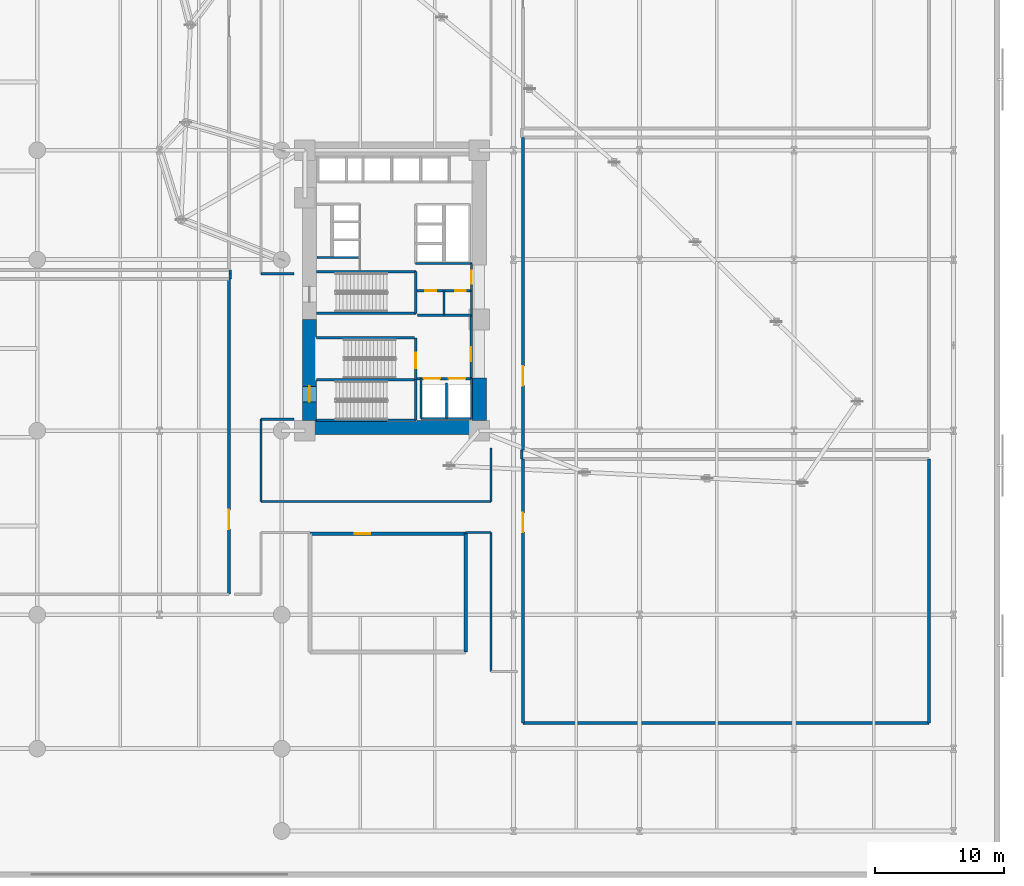
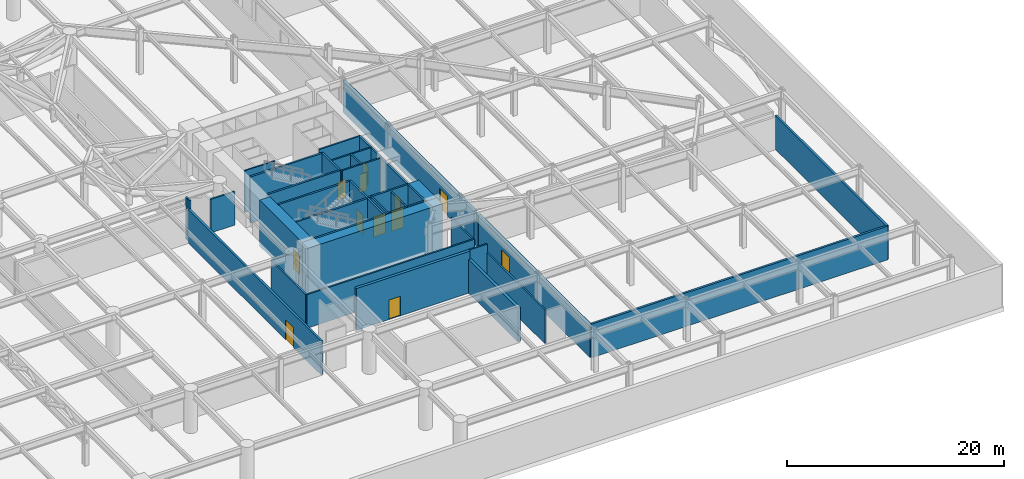
# One storey, part 25 of 40: 41 walls, 12 doors, 12 openings.
"""IFC4 building model written with IfcOpenShell, lengths in metres."""

from ifc_helpers import new_model, si_unit, direction, frame, frame_2d, origin, place, context, subcontext, project, spatial, rectangle, extrude, material, layer, layer_set, type_object, element, fill, save


model = new_model("IFC4")

# Units and contexts
model_context = context("Model", 3, precision=1e-05, world=origin(), true_north=direction((0.0, 1.0)))
body_context = subcontext(model_context, "Body", "Model", "MODEL_VIEW")
ifc_project = project(units=[si_unit("LENGTHUNIT", "METRE"), si_unit("AREAUNIT", "SQUARE_METRE"), si_unit("VOLUMEUNIT", "CUBIC_METRE"), si_unit("PLANEANGLEUNIT", "RADIAN"), si_unit("MASSUNIT", "GRAM", prefix="KILO")], contexts=[model_context])

# Site, building, storey
site_placement = place(None, origin())
site = spatial("IfcSite", under=ifc_project, at=site_placement, CompositionType="ELEMENT")
building_placement = place(site_placement, origin())
building = spatial("IfcBuilding", under=site, at=building_placement, Name="Narakoshi Arena Tower", CompositionType="ELEMENT")
storey_placement = place(building_placement, frame((0.0, 0.0, 21.60009765625)))
storey = spatial("IfcBuildingStorey", under=building, at=storey_placement, Name="L05", CompositionType="ELEMENT", Elevation=21.60009765625)

# Walls
ifc_material_1 = material(Name="Concrete C40/50", Category="concrete")
ifc_layer_1 = layer(ifc_material_1, 0.219970703125)
ifc_layer_set_1 = layer_set([ifc_layer_1], Name="Concrete C40/50")
wall_type_1 = type_object("IfcWallType", Name="WL-COMP-220", PredefinedType="SOLIDWALL", material=ifc_layer_set_1)
wall_1_placement = place(storey_placement, frame((88.949951171875, 12.0, 0.0), z_axis=(0.0, 0.0, 1.0), x_axis=(1.0, 0.0, 0.0)))
element("IfcWall", 1, at=wall_1_placement, inside=storey, type_object=wall_type_1, Name="L05 Arena Roof MEP AHU Plant Room Wall S", PredefinedType="SOLIDWALL", context=body_context, shape_type="SweptSolid", body=[
    extrude(rectangle(XDim=31.550048828125, YDim=0.219970703125, at=frame_2d((15.77490234375, 0.0))), origin(), (0.0, 0.0, 1.0), 3.784912109375),
])
wall_2_placement = place(storey_placement, frame((120.5, 12.0, 0.0), z_axis=(0.0, 0.0, 1.0), x_axis=(0.0, 1.0, 0.0)))
element("IfcWall", 2, at=wall_2_placement, inside=storey, type_object=wall_type_1, Name="L05 Arena Roof MEP AHU Plant Room Wall E", PredefinedType="SOLIDWALL", context=body_context, shape_type="SweptSolid", body=[
    extrude(rectangle(XDim=20.5, YDim=0.219970703125, at=frame_2d((10.25, 0.0))), origin(), (0.0, 0.0, 1.0), 3.784912109375),
])

# Wall, opening, door
wall_3_placement = place(storey_placement, frame((88.949951171875, 32.5, 0.0), z_axis=(0.0, 0.0, 1.0), x_axis=(0.0, -1.0, 0.0)))
wall_3 = element("IfcWall", 3, at=wall_3_placement, inside=storey, type_object=wall_type_1, Name="L05 Arena Roof MEP AHU Plant Room Wall W", PredefinedType="SOLIDWALL", context=body_context, shape_type="SweptSolid", body=[
    extrude(rectangle(XDim=20.5, YDim=0.219970703125, at=frame_2d((10.25, 0.0))), origin(), (0.0, 0.0, 1.0), 3.677001953125),
])
opening_1_placement = place(wall_3_placement, frame((4.179931640625, 0.0, 0.0)))
opening_1 = element("IfcOpeningElement", 4, at=opening_1_placement, cuts=wall_3, Name="Opening D-09", PredefinedType="OPENING", context=body_context, shape_type="SweptSolid", body=[
    extrude(rectangle(XDim=1.5, YDim=2.25, at=frame_2d((0.75, 1.125))), frame((0.0, 0.119873046875, 0.0), z_axis=(0.0, -1.0, 0.0), x_axis=(1.0, 0.0, 0.0)), (0.0, 0.0, 1.0), 0.239990234375),
])
ifc_material_2 = material(Name="Painted galvanized steel", Category="steel")
door_type_1 = type_object("IfcDoorType", Name="DR-PLT-1500", OperationType="DOUBLE_DOOR_SINGLE_SWING", PredefinedType="DOOR", material=ifc_material_2)
door_1_placement = place(opening_1_placement, frame((1.5, 0.0, 0.0), z_axis=(0.0, 0.0, 1.0), x_axis=(-1.0, 0.0, 0.0)))
door_1 = element("IfcDoor", 5, at=door_1_placement, inside=storey, type_object=door_type_1, Name="DR-L05-014", OperationType="DOUBLE_DOOR_SINGLE_SWING", OverallHeight=2.25, OverallWidth=1.5, PredefinedType="DOOR", context=body_context, shape_type="SweptSolid", body=[
    extrude(rectangle(XDim=1.5, YDim=2.25, at=frame_2d((0.75, 1.125))), frame((0.0, 0.02490234375, 0.0), z_axis=(0.0, -1.0, 0.0), x_axis=(1.0, 0.0, 0.0)), (0.0, 0.0, 1.0), 0.050048828125),
])
fill(opening_1, door_1)

wall_4_placement = place(storey_placement, frame((88.949951171875, 57.5, 0.0), z_axis=(0.0, 0.0, 1.0), x_axis=(0.0, -1.0, 0.0)))
wall_4 = element("IfcWall", 6, at=wall_4_placement, inside=storey, type_object=wall_type_1, Name="L05 Mechanical AHU Ventilation Plant Room 2 Wall W", PredefinedType="SOLIDWALL", context=body_context, shape_type="SweptSolid", body=[
    extrude(rectangle(XDim=24.300048828125, YDim=0.219970703125, at=frame_2d((12.14990234375, 0.0))), origin(), (0.0, 0.0, 1.0), 3.677001953125),
])
opening_2_placement = place(wall_4_placement, frame((17.783935546875, 0.0, 0.0)))
opening_2 = element("IfcOpeningElement", 7, at=opening_2_placement, cuts=wall_4, Name="Opening D-09", PredefinedType="OPENING", context=body_context, shape_type="SweptSolid", body=[
    extrude(rectangle(XDim=1.5, YDim=2.25, at=frame_2d((0.75, 1.125))), frame((0.0, 0.119873046875, 0.0), z_axis=(0.0, -1.0, 0.0), x_axis=(1.0, 0.0, 0.0)), (0.0, 0.0, 1.0), 0.239990234375),
])
door_2_placement = place(opening_2_placement, frame((1.5, 0.0, 0.0), z_axis=(0.0, 0.0, 1.0), x_axis=(-1.0, 0.0, 0.0)))
door_2 = element("IfcDoor", 8, at=door_2_placement, inside=storey, type_object=door_type_1, Name="DR-L05-015", OperationType="DOUBLE_DOOR_SINGLE_SWING", OverallHeight=2.25, OverallWidth=1.5, PredefinedType="DOOR", context=body_context, shape_type="SweptSolid", body=[
    extrude(rectangle(XDim=1.5, YDim=2.25, at=frame_2d((0.75, 1.125))), frame((0.0, 0.02490234375, 0.0), z_axis=(0.0, -1.0, 0.0), x_axis=(1.0, 0.0, 0.0)), (0.0, 0.0, 1.0), 0.050048828125),
])
fill(opening_2, door_2)

wall_5_placement = place(storey_placement, frame((66.10009765625, 22.0, 0.0), z_axis=(0.0, 0.0, 1.0), x_axis=(0.0, 1.0, 0.0)))
wall_5 = element("IfcWall", 9, at=wall_5_placement, inside=storey, type_object=wall_type_1, Name="L05 Podium Roof Substation and Switchgear Room Wall E", PredefinedType="SOLIDWALL", context=body_context, shape_type="SweptSolid", body=[
    extrude(rectangle(XDim=24.5, YDim=0.219970703125, at=frame_2d((12.25, 0.0))), origin(), (0.0, 0.0, 1.0), 3.784912109375),
])
opening_3_placement = place(wall_5_placement, frame((5.06005859375, 0.0, 0.0)))
opening_3 = element("IfcOpeningElement", 10, at=opening_3_placement, cuts=wall_5, Name="Opening D-09", PredefinedType="OPENING", context=body_context, shape_type="SweptSolid", body=[
    extrude(rectangle(XDim=1.5, YDim=2.25, at=frame_2d((0.75, 1.125))), frame((0.0, 0.119873046875, 0.0), z_axis=(0.0, -1.0, 0.0), x_axis=(1.0, 0.0, 0.0)), (0.0, 0.0, 1.0), 0.239990234375),
])
door_3_placement = place(opening_3_placement, frame((1.5, 0.0, 0.0), z_axis=(0.0, 0.0, 1.0), x_axis=(-1.0, 0.0, 0.0)))
door_3 = element("IfcDoor", 11, at=door_3_placement, inside=storey, type_object=door_type_1, Name="DR-L05-018", OperationType="DOUBLE_DOOR_SINGLE_SWING", OverallHeight=2.25, OverallWidth=1.5, PredefinedType="DOOR", context=body_context, shape_type="SweptSolid", body=[
    extrude(rectangle(XDim=1.5, YDim=2.25, at=frame_2d((0.75, 1.125))), frame((0.0, 0.02490234375, 0.0), z_axis=(0.0, -1.0, 0.0), x_axis=(1.0, 0.0, 0.0)), (0.0, 0.0, 1.0), 0.050048828125),
])
fill(opening_3, door_3)

ifc_material_3 = material(Name="Concrete C60/75", Category="concrete")
ifc_layer_2 = layer(ifc_material_3, 1.10009765625)
ifc_layer_set_2 = layer_set([ifc_layer_2], Name="Concrete C60/75")
wall_type_2 = type_object("IfcWallType", Name="WL-CORE-1100", PredefinedType="SHEAR", material=ifc_layer_set_2)
wall_6_placement = place(storey_placement, frame((72.35009765625, 35.5, -0.5), z_axis=(0.0, 0.0, 1.0), x_axis=(0.0, 1.0, 0.0)))
wall_6 = element("IfcWall", 12, at=wall_6_placement, inside=storey, type_object=wall_type_2, Name="L05 Central Core Shear Wall CW-APX-W", PredefinedType="SHEAR", context=body_context, shape_type="SweptSolid", body=[
    extrude(rectangle(XDim=7.85009765625, YDim=1.10009765625, at=frame_2d((3.925048828125, 0.0))), origin(), (0.0, 0.0, 1.0), 5.199951171875),
])
opening_4_placement = place(wall_6_placement, frame((1.449951171875, 0.0, 0.5)))
opening_4 = element("IfcOpeningElement", 13, at=opening_4_placement, cuts=wall_6, Name="Opening D-03", PredefinedType="OPENING", context=body_context, shape_type="SweptSolid", body=[
    extrude(rectangle(XDim=1.199951171875, YDim=2.199951171875, at=frame_2d((0.60009765625, 1.10009765625))), frame((0.0, 0.56005859375, 0.0), z_axis=(0.0, -1.0, 0.0), x_axis=(1.0, 0.0, 0.0)), (0.0, 0.0, 1.0), 1.1201171875),
])
door_type_2 = type_object("IfcDoorType", Name="DR-STR-1200", OperationType="NOTDEFINED", PredefinedType="USERDEFINED", material=ifc_material_2)
door_4_placement = place(opening_4_placement, frame((1.199951171875, 0.0, 0.0), z_axis=(0.0, 0.0, 1.0), x_axis=(-1.0, 0.0, 0.0)))
door_4 = element("IfcDoor", 14, at=door_4_placement, inside=storey, type_object=door_type_2, Name="DR-L05-001", ObjectType="EXITDOOR", OperationType="SINGLE_SWING_LEFT", OverallHeight=2.199951171875, OverallWidth=1.199951171875, PredefinedType="USERDEFINED", context=body_context, shape_type="SweptSolid", body=[
    extrude(rectangle(XDim=1.199951171875, YDim=2.199951171875, at=frame_2d((0.60009765625, 1.10009765625))), frame((0.0, 0.02490234375, 0.0), z_axis=(0.0, -1.0, 0.0), x_axis=(1.0, 0.0, 0.0)), (0.0, 0.0, 1.0), 0.050048828125),
])
fill(opening_4, door_4)

# Walls
wall_7_placement = place(storey_placement, frame((71.800048828125, 34.949951171875, -0.5), z_axis=(0.0, 0.0, 1.0), x_axis=(1.0, 0.0, 0.0)))
element("IfcWall", 15, at=wall_7_placement, inside=storey, type_object=wall_type_2, Name="L05 Central Core Shear Wall CW-APX-S", PredefinedType="SHEAR", context=body_context, shape_type="SweptSolid", body=[
    extrude(rectangle(XDim=14.300048828125, YDim=1.10009765625, at=frame_2d((7.14990234375, 0.0))), origin(), (0.0, 0.0, 1.0), 5.199951171875),
])
wall_8_placement = place(storey_placement, frame((85.550048828125, 35.5, -0.5), z_axis=(0.0, 0.0, 1.0), x_axis=(0.0, 1.0, 0.0)))
element("IfcWall", 16, at=wall_8_placement, inside=storey, type_object=wall_type_2, Name="L05 Central Core Shear Wall CW-APX-E", PredefinedType="SHEAR", context=body_context, shape_type="SweptSolid", body=[
    extrude(rectangle(XDim=3.300048828125, YDim=1.10009765625, at=frame_2d((1.64990234375, 0.0))), origin(), (0.0, 0.0, 1.0), 5.199951171875),
])

# Wall, opening, door
ifc_material_4 = material(Name="Gypsum plasterboard fire-rated partition")
ifc_layer_3 = layer(ifc_material_4, 0.1650390625)
ifc_layer_set_3 = layer_set([ifc_layer_3], Name="Gypsum plasterboard fire-rated partition")
wall_type_3 = type_object("IfcWallType", Name="WL-CORR-165", PredefinedType="PARTITIONING", material=ifc_layer_set_3)
wall_9_placement = place(storey_placement, frame((84.949951171875, 45.580078125, 0.0), z_axis=(0.0, 0.0, 1.0), x_axis=(0.0, 1.0, 0.0)))
wall_9 = element("IfcWall", 17, at=wall_9_placement, inside=storey, type_object=wall_type_3, Name="L05 Core Wall CPAS-E", PredefinedType="PARTITIONING", context=body_context, shape_type="SweptSolid", body=[
    extrude(rectangle(XDim=2.119873046875, YDim=0.1650390625, at=frame_2d((1.06005859375, 0.0))), origin(), (0.0, 0.0, 1.0), 4.699951171875),
])
opening_5_placement = place(wall_9_placement, frame((0.56005859375, 0.0, 0.0)))
opening_5 = element("IfcOpeningElement", 18, at=opening_5_placement, cuts=wall_9, Name="Opening D-06", PredefinedType="OPENING", context=body_context, shape_type="SweptSolid", body=[
    extrude(rectangle(XDim=1.0, YDim=2.199951171875, at=frame_2d((0.5, 1.10009765625))), frame((0.0, 0.092529296875, 0.0), z_axis=(0.0, -1.0, 0.0), x_axis=(1.0, 0.0, 0.0)), (0.0, 0.0, 1.0), 0.18505859375),
])
ifc_material_5 = material(Name="Stained oak solid-core timber", Category="wood")
door_type_3 = type_object("IfcDoorType", Name="DR-OFF-1000", OperationType="NOTDEFINED", PredefinedType="DOOR", material=ifc_material_5)
door_5_placement = place(opening_5_placement, frame((1.0, 0.0, 0.0), z_axis=(0.0, 0.0, 1.0), x_axis=(-1.0, 0.0, 0.0)))
door_5 = element("IfcDoor", 19, at=door_5_placement, inside=storey, type_object=door_type_3, Name="DR-L05-007", OperationType="SINGLE_SWING_LEFT", OverallHeight=2.199951171875, OverallWidth=1.0, PredefinedType="DOOR", context=body_context, shape_type="SweptSolid", body=[
    extrude(rectangle(XDim=1.0, YDim=2.199951171875, at=frame_2d((0.5, 1.10009765625))), frame((0.0, 0.02490234375, 0.0), z_axis=(0.0, -1.0, 0.0), x_axis=(1.0, 0.0, 0.0)), (0.0, 0.0, 1.0), 0.050048828125),
])
fill(opening_5, door_5)

# Walls
wall_10_placement = place(storey_placement, frame((66.199951171875, 46.89990234375, 0.0), z_axis=(0.0, 0.0, 1.0), x_axis=(0.0, 1.0, 0.0)))
element("IfcWall", 20, at=wall_10_placement, inside=storey, type_object=wall_type_3, Name="L05 Plant Corridor Enclosure 01-1", PredefinedType="PARTITIONING", context=body_context, shape_type="SweptSolid", body=[
    extrude(rectangle(XDim=0.300048828125, YDim=0.1650390625, at=frame_2d((0.14990234375, 0.0))), origin(), (0.0, 0.0, 1.0), 4.699951171875),
])
for number, where, z_axis, x_axis, name in (
    (21, (68.60009765625, 46.89990234375, 0.0), (0.0, 0.0, 1.0), (1.0, 0.0, 0.0), "L05 Plant Corridor Enclosure 02-3"),
    (22, (71.14990234375, 35.60009765625, 0.0), (0.0, 0.0, 1.0), (-1.0, 0.0, 0.0), "L05 Plant Corridor Enclosure 03-1"),
):
    element("IfcWall", number, at=place(storey_placement, frame(where, z_axis=z_axis, x_axis=x_axis)), inside=storey, type_object=wall_type_3, Name=name, PredefinedType="PARTITIONING", context=body_context, shape_type="SweptSolid", body=[
        extrude(rectangle(XDim=2.5498046875, YDim=0.1650390625, at=frame_2d((1.27490234375, 0.0))), origin(), (0.0, 0.0, 1.0), 3.784912109375),
    ])
wall_11_placement = place(storey_placement, frame((68.60009765625, 35.60009765625, 0.0), z_axis=(0.0, 0.0, 1.0), x_axis=(0.0, -1.0, 0.0)))
element("IfcWall", 23, at=wall_11_placement, inside=storey, type_object=wall_type_3, Name="L05 Plant Corridor Enclosure 03-2", PredefinedType="PARTITIONING", context=body_context, shape_type="SweptSolid", body=[
    extrude(rectangle(XDim=6.400146484375, YDim=0.1650390625, at=frame_2d((3.2001953125, 0.0))), origin(), (0.0, 0.0, 1.0), 3.784912109375),
])
wall_12_placement = place(storey_placement, frame((68.60009765625, 29.199951171875, 0.0), z_axis=(0.0, 0.0, 1.0), x_axis=(1.0, 0.0, 0.0)))
element("IfcWall", 24, at=wall_12_placement, inside=storey, type_object=wall_type_3, Name="L05 Plant Corridor Enclosure 03-3", PredefinedType="PARTITIONING", context=body_context, shape_type="SweptSolid", body=[
    extrude(rectangle(XDim=17.849853515625, YDim=0.1650390625, at=frame_2d((8.9248046875, 0.0))), origin(), (0.0, 0.0, 1.0), 3.784912109375),
])
wall_13_placement = place(storey_placement, frame((86.449951171875, 29.199951171875, 0.0), z_axis=(0.0, 0.0, 1.0), x_axis=(0.0, 1.0, 0.0)))
element("IfcWall", 25, at=wall_13_placement, inside=storey, type_object=wall_type_3, Name="L05 Plant Corridor Enclosure 03-4", PredefinedType="PARTITIONING", context=body_context, shape_type="SweptSolid", body=[
    extrude(rectangle(XDim=4.150146484375, YDim=0.1650390625, at=frame_2d((2.0751953125, 0.0))), origin(), (0.0, 0.0, 1.0), 3.677001953125),
])
wall_14_placement = place(storey_placement, frame((88.85009765625, 33.199951171875, 0.0), z_axis=(0.0, 0.0, 1.0), x_axis=(0.0, -1.0, 0.0)))
element("IfcWall", 26, at=wall_14_placement, inside=storey, type_object=wall_type_3, Name="L05 Plant Corridor Enclosure 07-1", PredefinedType="PARTITIONING", context=body_context, shape_type="SweptSolid", body=[
    extrude(rectangle(XDim=0.699951171875, YDim=0.1650390625, at=frame_2d((0.35009765625, 0.0))), origin(), (0.0, 0.0, 1.0), 3.677001953125),
])
wall_15_placement = place(storey_placement, frame((86.449951171875, 16.0, 0.0), z_axis=(0.0, 0.0, 1.0), x_axis=(0.0, 1.0, 0.0)))
element("IfcWall", 27, at=wall_15_placement, inside=storey, type_object=wall_type_3, Name="L05 Plant Corridor Enclosure 08-2", PredefinedType="PARTITIONING", context=body_context, shape_type="SweptSolid", body=[
    extrude(rectangle(XDim=10.800048828125, YDim=0.1650390625, at=frame_2d((5.39990234375, 0.0))), origin(), (0.0, 0.0, 1.0), 3.784912109375),
])
wall_16_placement = place(storey_placement, frame((86.449951171875, 26.800048828125, 0.0), z_axis=(0.0, 0.0, 1.0), x_axis=(-1.0, 0.0, 0.0)))
element("IfcWall", 28, at=wall_16_placement, inside=storey, type_object=wall_type_3, Name="L05 Plant Corridor Enclosure 08-3", PredefinedType="PARTITIONING", context=body_context, shape_type="SweptSolid", body=[
    extrude(rectangle(XDim=1.949951171875, YDim=0.1650390625, at=frame_2d((0.97509765625, 0.0))), origin(), (0.0, 0.0, 1.0), 4.699951171875),
])
wall_17_placement = place(storey_placement, frame((66.199951171875, 46.5, 0.0), z_axis=(0.0, 0.0, 1.0), x_axis=(0.0, 1.0, 0.0)))
element("IfcWall", 29, at=wall_17_placement, inside=storey, type_object=wall_type_3, Name="L05 Plant Corridor Enclosure 10-1", PredefinedType="PARTITIONING", context=body_context, shape_type="SweptSolid", body=[
    extrude(rectangle(XDim=0.39990234375, YDim=0.1650390625, at=frame_2d((0.199951171875, 0.0))), origin(), (0.0, 0.0, 1.0), 4.699951171875),
])
ifc_layer_4 = layer(ifc_material_1, 0.280029296875)
ifc_layer_set_4 = layer_set([ifc_layer_4], Name="Concrete C40/50")
wall_type_4 = type_object("IfcWallType", Name="WL-RISER-280", PredefinedType="PLUMBINGWALL", material=ifc_layer_set_4)
wall_18_placement = place(storey_placement, frame((83.0, 35.64990234375, 0.0), z_axis=(0.0, 0.0, 1.0), x_axis=(0.0, 1.0, 0.0)))
element("IfcWall", 30, at=wall_18_placement, inside=storey, type_object=wall_type_4, Name="L05 Core Wall FF-DIV", PredefinedType="PLUMBINGWALL", context=body_context, shape_type="SweptSolid", body=[
    extrude(rectangle(XDim=2.75, YDim=0.159912109375, at=frame_2d((1.375, 0.0))), origin(), (0.0, 0.0, 1.0), 4.699951171875),
])
wall_19_placement = place(storey_placement, frame((84.949951171875, 43.679931640625, 0.0), z_axis=(0.0, 0.0, 1.0), x_axis=(0.0, 1.0, 0.0)))
element("IfcWall", 31, at=wall_19_placement, inside=storey, type_object=wall_type_4, Name="L05 Core Wall RSR-E", PredefinedType="PLUMBINGWALL", context=body_context, shape_type="SweptSolid", body=[
    extrude(rectangle(XDim=1.900146484375, YDim=0.1650390625, at=frame_2d((0.9501953125, 0.0))), origin(), (0.0, 0.0, 1.0), 4.699951171875),
])

# Wall, openings, doors
wall_20_placement = place(storey_placement, frame((80.719970703125, 45.580078125, 0.0), z_axis=(0.0, 0.0, 1.0), x_axis=(1.0, 0.0, 0.0)))
wall_20 = element("IfcWall", 32, at=wall_20_placement, inside=storey, type_object=wall_type_4, Name="L05 Core Wall RSR-N", PredefinedType="PLUMBINGWALL", context=body_context, shape_type="SweptSolid", body=[
    extrude(rectangle(XDim=4.22998046875, YDim=0.159912109375, at=frame_2d((2.114990234375, 0.0))), origin(), (0.0, 0.0, 1.0), 4.699951171875),
])
opening_6_placement = place(wall_20_placement, frame((0.64990234375, 0.0, 0.0)))
opening_6 = element("IfcOpeningElement", 33, at=opening_6_placement, cuts=wall_20, Name="Opening D-10", PredefinedType="OPENING", context=body_context, shape_type="SweptSolid", body=[
    extrude(rectangle(XDim=0.85009765625, YDim=2.050048828125, at=frame_2d((0.425048828125, 1.02490234375))), frame((0.0, 0.08984375, 0.0), z_axis=(0.0, -1.0, 0.0), x_axis=(1.0, 0.0, 0.0)), (0.0, 0.0, 1.0), 0.179931640625),
])
opening_7_placement = place(wall_20_placement, frame((2.949951171875, 0.0, 0.0)))
opening_7 = element("IfcOpeningElement", 34, at=opening_7_placement, cuts=wall_20, Name="Opening D-10", PredefinedType="OPENING", context=body_context, shape_type="SweptSolid", body=[
    extrude(rectangle(XDim=0.85009765625, YDim=2.050048828125, at=frame_2d((0.425048828125, 1.02490234375))), frame((0.0, 0.08984375, 0.0), z_axis=(0.0, -1.0, 0.0), x_axis=(1.0, 0.0, 0.0)), (0.0, 0.0, 1.0), 0.179931640625),
])
door_type_4 = type_object("IfcDoorType", Name="DR-RSR-850", OperationType="NOTDEFINED", PredefinedType="DOOR", material=ifc_material_2)
door_6_placement = place(opening_6_placement, frame((0.85009765625, 0.0, 0.0), z_axis=(0.0, 0.0, 1.0), x_axis=(-1.0, 0.0, 0.0)))
door_6 = element("IfcDoor", 35, at=door_6_placement, inside=storey, type_object=door_type_4, Name="DR-L05-008", OperationType="SINGLE_SWING_LEFT", OverallHeight=2.050048828125, OverallWidth=0.85009765625, PredefinedType="DOOR", context=body_context, shape_type="SweptSolid", body=[
    extrude(rectangle(XDim=0.85009765625, YDim=2.050048828125, at=frame_2d((0.425048828125, 1.02490234375))), frame((0.0, 0.02490234375, 0.0), z_axis=(0.0, -1.0, 0.0), x_axis=(1.0, 0.0, 0.0)), (0.0, 0.0, 1.0), 0.050048828125),
])
fill(opening_6, door_6)
door_7_placement = place(opening_7_placement, frame((0.85009765625, 0.0, 0.0), z_axis=(0.0, 0.0, 1.0), x_axis=(-1.0, 0.0, 0.0)))
door_7 = element("IfcDoor", 36, at=door_7_placement, inside=storey, type_object=door_type_4, Name="DR-L05-009", OperationType="SINGLE_SWING_RIGHT", OverallHeight=2.050048828125, OverallWidth=0.85009765625, PredefinedType="DOOR", context=body_context, shape_type="SweptSolid", body=[
    extrude(rectangle(XDim=0.85009765625, YDim=2.050048828125, at=frame_2d((0.425048828125, 1.02490234375))), frame((0.0, 0.02490234375, 0.0), z_axis=(0.0, -1.0, 0.0), x_axis=(1.0, 0.0, 0.0)), (0.0, 0.0, 1.0), 0.050048828125),
])
fill(opening_7, door_7)

# Walls
wall_21_placement = place(storey_placement, frame((80.760009765625, 43.679931640625, 0.0), z_axis=(0.0, 0.0, 1.0), x_axis=(1.0, 0.0, 0.0)))
element("IfcWall", 37, at=wall_21_placement, inside=storey, type_object=wall_type_4, Name="L05 Core Wall RSR-S", PredefinedType="PLUMBINGWALL", context=body_context, shape_type="SweptSolid", body=[
    extrude(rectangle(XDim=4.18994140625, YDim=0.159912109375, at=frame_2d((2.094970703125, 0.0))), origin(), (0.0, 0.0, 1.0), 4.699951171875),
])
wall_22_placement = place(storey_placement, frame((82.800048828125, 43.679931640625, 0.0), z_axis=(0.0, 0.0, 1.0), x_axis=(0.0, 1.0, 0.0)))
element("IfcWall", 38, at=wall_22_placement, inside=storey, type_object=wall_type_4, Name="L05 Core Wall RSR-M", PredefinedType="PLUMBINGWALL", context=body_context, shape_type="SweptSolid", body=[
    extrude(rectangle(XDim=1.900146484375, YDim=0.159912109375, at=frame_2d((0.9501953125, 0.0))), origin(), (0.0, 0.0, 1.0), 4.699951171875),
])
wall_23_placement = place(storey_placement, frame((72.949951171875, 48.159912109375, 0.0), z_axis=(0.0, 0.0, 1.0), x_axis=(1.0, 0.0, 0.0)))
element("IfcWall", 39, at=wall_23_placement, inside=storey, type_object=wall_type_4, Name="L05 Core Wall LR-S0", PredefinedType="PLUMBINGWALL", context=body_context, shape_type="SweptSolid", body=[
    extrude(rectangle(XDim=3.239990234375, YDim=0.139892578125, at=frame_2d((1.6201171875, 0.0))), origin(), (0.0, 0.0, 1.0), 4.699951171875),
])
ifc_material_6 = material(Name="Concrete C50/60", Category="concrete")
ifc_layer_5 = layer(ifc_material_6, 0.35009765625)
ifc_layer_set_5 = layer_set([ifc_layer_5], Name="Concrete C50/60")
wall_type_5 = type_object("IfcWallType", Name="WL-SHAFT-350", PredefinedType="SOLIDWALL", material=ifc_layer_set_5)
for number, where, z_axis, x_axis, name in (
    (40, (72.919921875, 35.52001953125, -0.5), (0.0, 0.0, 1.0), (1.0, 0.0, 0.0), "L05 Core Wall ST1-S"),
    (41, (72.919921875, 38.675048828125, -0.5), (0.0, 0.0, 1.0), (1.0, 0.0, 0.0), "L05 Core Wall ST12-DIV"),
):
    element("IfcWall", number, at=place(storey_placement, frame(where, z_axis=z_axis, x_axis=x_axis)), inside=storey, type_object=wall_type_5, Name=name, PredefinedType="SOLIDWALL", context=body_context, shape_type="SweptSolid", body=[
        extrude(rectangle(XDim=7.7001953125, YDim=0.199951171875, at=frame_2d((3.85009765625, 0.0))), origin(), (0.0, 0.0, 1.0), 5.199951171875),
    ])
wall_24_placement = place(storey_placement, frame((80.6201171875, 35.52001953125, -0.5), z_axis=(0.0, 0.0, 1.0), x_axis=(0.0, 1.0, 0.0)))
element("IfcWall", 42, at=wall_24_placement, inside=storey, type_object=wall_type_5, Name="L05 Core Wall ST1-E", PredefinedType="SOLIDWALL", context=body_context, shape_type="SweptSolid", body=[
    extrude(rectangle(XDim=3.155029296875, YDim=0.199951171875, at=frame_2d((1.57763671875, 0.0))), origin(), (0.0, 0.0, 1.0), 5.199951171875),
])

# Wall, opening, door
wall_25_placement = place(storey_placement, frame((80.6201171875, 38.675048828125, -0.5), z_axis=(0.0, 0.0, 1.0), x_axis=(0.0, 1.0, 0.0)))
wall_25 = element("IfcWall", 43, at=wall_25_placement, inside=storey, type_object=wall_type_5, Name="L05 Core Wall ST2-E", PredefinedType="SOLIDWALL", context=body_context, shape_type="SweptSolid", body=[
    extrude(rectangle(XDim=3.244873046875, YDim=0.199951171875, at=frame_2d((1.62255859375, 0.0))), origin(), (0.0, 0.0, 1.0), 5.199951171875),
])
opening_8_placement = place(wall_25_placement, frame((0.89990234375, 0.0, 0.5)))
opening_8 = element("IfcOpeningElement", 44, at=opening_8_placement, cuts=wall_25, Name="Opening D-03", PredefinedType="OPENING", context=body_context, shape_type="SweptSolid", body=[
    extrude(rectangle(XDim=1.199951171875, YDim=2.199951171875, at=frame_2d((0.60009765625, 1.10009765625))), frame((0.0, 0.10986328125, 0.0), z_axis=(0.0, -1.0, 0.0), x_axis=(1.0, 0.0, 0.0)), (0.0, 0.0, 1.0), 0.219970703125),
])
door_8_placement = place(opening_8_placement, origin())
door_8 = element("IfcDoor", 45, at=door_8_placement, inside=storey, type_object=door_type_2, Name="DR-L05-002", ObjectType="EXITDOOR", OperationType="SINGLE_SWING_RIGHT", OverallHeight=2.199951171875, OverallWidth=1.199951171875, PredefinedType="USERDEFINED", context=body_context, shape_type="SweptSolid", body=[
    extrude(rectangle(XDim=1.199951171875, YDim=2.199951171875, at=frame_2d((0.60009765625, 1.10009765625))), frame((0.0, 0.02490234375, 0.0), z_axis=(0.0, -1.0, 0.0), x_axis=(1.0, 0.0, 0.0)), (0.0, 0.0, 1.0), 0.050048828125),
])
fill(opening_8, door_8)

# Wall, openings, doors
wall_26_placement = place(storey_placement, frame((80.719970703125, 38.75, 0.0), z_axis=(0.0, 0.0, 1.0), x_axis=(1.0, 0.0, 0.0)))
wall_26 = element("IfcWall", 46, at=wall_26_placement, inside=storey, type_object=wall_type_5, Name="L05 Core Wall FF-N", PredefinedType="SOLIDWALL", context=body_context, shape_type="SweptSolid", body=[
    extrude(rectangle(XDim=4.260009765625, YDim=0.199951171875, at=frame_2d((2.1298828125, 0.0))), origin(), (0.0, 0.0, 1.0), 4.699951171875),
])
opening_9_placement = place(wall_26_placement, frame((0.5, 0.0, 0.0)))
opening_9 = element("IfcOpeningElement", 47, at=opening_9_placement, cuts=wall_26, Name="Opening LD-02", PredefinedType="OPENING", context=body_context, shape_type="SweptSolid", body=[
    extrude(rectangle(XDim=1.300048828125, YDim=2.300048828125, at=frame_2d((0.64990234375, 1.14990234375))), frame((0.0, 0.10986328125, 0.0), z_axis=(0.0, -1.0, 0.0), x_axis=(1.0, 0.0, 0.0)), (0.0, 0.0, 1.0), 0.219970703125),
])
opening_10_placement = place(wall_26_placement, frame((2.449951171875, 0.0, 0.0)))
opening_10 = element("IfcOpeningElement", 48, at=opening_10_placement, cuts=wall_26, Name="Opening LD-02", PredefinedType="OPENING", context=body_context, shape_type="SweptSolid", body=[
    extrude(rectangle(XDim=1.300048828125, YDim=2.300048828125, at=frame_2d((0.64990234375, 1.14990234375))), frame((0.0, 0.10986328125, 0.0), z_axis=(0.0, -1.0, 0.0), x_axis=(1.0, 0.0, 0.0)), (0.0, 0.0, 1.0), 0.219970703125),
])
ifc_material_7 = material(Name="Brushed bronze stainless steel", Category="steel")
door_type_5 = type_object("IfcDoorType", Name="DR-LFT-1300", OperationType="DOUBLE_DOOR_SLIDING", PredefinedType="DOOR", material=ifc_material_7)
door_9_placement = place(opening_9_placement, origin())
door_9 = element("IfcDoor", 49, at=door_9_placement, inside=storey, type_object=door_type_5, Name="DR-L05-003", OperationType="DOUBLE_DOOR_SLIDING", OverallHeight=2.300048828125, OverallWidth=1.300048828125, PredefinedType="DOOR", context=body_context, shape_type="SweptSolid", body=[
    extrude(rectangle(XDim=1.300048828125, YDim=2.300048828125, at=frame_2d((0.64990234375, 1.14990234375))), frame((0.0, 0.02490234375, 0.0), z_axis=(0.0, -1.0, 0.0), x_axis=(1.0, 0.0, 0.0)), (0.0, 0.0, 1.0), 0.050048828125),
])
fill(opening_9, door_9)
door_10_placement = place(opening_10_placement, origin())
door_10 = element("IfcDoor", 50, at=door_10_placement, inside=storey, type_object=door_type_5, Name="DR-L05-004", OperationType="DOUBLE_DOOR_SLIDING", OverallHeight=2.300048828125, OverallWidth=1.300048828125, PredefinedType="DOOR", context=body_context, shape_type="SweptSolid", body=[
    extrude(rectangle(XDim=1.300048828125, YDim=2.300048828125, at=frame_2d((0.64990234375, 1.14990234375))), frame((0.0, 0.02490234375, 0.0), z_axis=(0.0, -1.0, 0.0), x_axis=(1.0, 0.0, 0.0)), (0.0, 0.0, 1.0), 0.050048828125),
])
fill(opening_10, door_10)

# Walls
for number, where, z_axis, x_axis, name in (
    (51, (84.949951171875, 35.64990234375, 0.0), (0.0, 0.0, 1.0), (0.0, 1.0, 0.0), "L05 Core Wall FF-E"),
    (52, (81.02001953125, 35.64990234375, 0.0), (0.0, 0.0, 1.0), (0.0, 1.0, 0.0), "L05 Core Wall FF-W"),
):
    element("IfcWall", number, at=place(storey_placement, frame(where, z_axis=z_axis, x_axis=x_axis)), inside=storey, type_object=wall_type_5, Name=name, PredefinedType="SOLIDWALL", context=body_context, shape_type="SweptSolid", body=[
        extrude(rectangle(XDim=3.10009765625, YDim=0.179931640625, at=frame_2d((1.550048828125, 0.0))), origin(), (0.0, 0.0, 1.0), 4.699951171875),
    ])
wall_27_placement = place(storey_placement, frame((81.02001953125, 35.64990234375, 0.0), z_axis=(0.0, 0.0, 1.0), x_axis=(1.0, 0.0, 0.0)))
element("IfcWall", 53, at=wall_27_placement, inside=storey, type_object=wall_type_5, Name="L05 Core Wall FF-S", PredefinedType="SOLIDWALL", context=body_context, shape_type="SweptSolid", body=[
    extrude(rectangle(XDim=3.929931640625, YDim=0.179931640625, at=frame_2d((1.96484375, 0.0))), origin(), (0.0, 0.0, 1.0), 4.699951171875),
])

# Wall, opening, door
wall_28_placement = place(storey_placement, frame((84.919921875, 38.85009765625, 0.0), z_axis=(0.0, 0.0, 1.0), x_axis=(0.0, 1.0, 0.0)))
wall_28 = element("IfcWall", 54, at=wall_28_placement, inside=storey, type_object=wall_type_5, Name="L05 Core Wall FFLOB-E", PredefinedType="SOLIDWALL", context=body_context, shape_type="SweptSolid", body=[
    extrude(rectangle(XDim=4.829833984375, YDim=0.199951171875, at=frame_2d((2.4150390625, 0.0))), origin(), (0.0, 0.0, 1.0), 4.699951171875),
])
opening_11_placement = place(wall_28_placement, frame((1.25, 0.0, 0.0)))
opening_11 = element("IfcOpeningElement", 55, at=opening_11_placement, cuts=wall_28, Name="Opening D-04", PredefinedType="OPENING", context=body_context, shape_type="SweptSolid", body=[
    extrude(rectangle(XDim=1.10009765625, YDim=2.199951171875, at=frame_2d((0.550048828125, 1.10009765625))), frame((0.0, 0.10986328125, 0.0), z_axis=(0.0, -1.0, 0.0), x_axis=(1.0, 0.0, 0.0)), (0.0, 0.0, 1.0), 0.219970703125),
])
door_type_6 = type_object("IfcDoorType", Name="DR-FFL-1100", OperationType="NOTDEFINED", PredefinedType="DOOR", material=ifc_material_2)
door_11_placement = place(opening_11_placement, frame((1.10009765625, 0.0, 0.0), z_axis=(0.0, 0.0, 1.0), x_axis=(-1.0, 0.0, 0.0)))
door_11 = element("IfcDoor", 56, at=door_11_placement, inside=storey, type_object=door_type_6, Name="DR-L05-005", OperationType="SINGLE_SWING_RIGHT", OverallHeight=2.199951171875, OverallWidth=1.10009765625, PredefinedType="DOOR", context=body_context, shape_type="SweptSolid", body=[
    extrude(rectangle(XDim=1.10009765625, YDim=2.199951171875, at=frame_2d((0.550048828125, 1.10009765625))), frame((0.0, 0.02490234375, 0.0), z_axis=(0.0, -1.0, 0.0), x_axis=(1.0, 0.0, 0.0)), (0.0, 0.0, 1.0), 0.050048828125),
])
fill(opening_11, door_11)

# Walls
wall_29_placement = place(storey_placement, frame((72.919921875, 41.919921875, -0.5), z_axis=(0.0, 0.0, 1.0), x_axis=(1.0, 0.0, 0.0)))
element("IfcWall", 57, at=wall_29_placement, inside=storey, type_object=wall_type_5, Name="L05 Core Wall ST2-N", PredefinedType="SOLIDWALL", context=body_context, shape_type="SweptSolid", body=[
    extrude(rectangle(XDim=7.580078125, YDim=0.199951171875, at=frame_2d((3.7900390625, 0.0))), origin(), (0.0, 0.0, 1.0), 5.199951171875),
])
for number, where, z_axis, x_axis, name in (
    (58, (72.919921875, 43.830078125, -0.5), (0.0, 0.0, 1.0), (1.0, 0.0, 0.0), "L05 Core Wall ST3-S"),
    (59, (72.919921875, 47.070068359375, -0.5), (0.0, 0.0, 1.0), (1.0, 0.0, 0.0), "L05 Core Wall ST3-N"),
):
    element("IfcWall", number, at=place(storey_placement, frame(where, z_axis=z_axis, x_axis=x_axis)), inside=storey, type_object=wall_type_5, Name=name, PredefinedType="SOLIDWALL", context=body_context, shape_type="SweptSolid", body=[
        extrude(rectangle(XDim=7.7001953125, YDim=0.199951171875, at=frame_2d((3.85009765625, 0.0))), origin(), (0.0, 0.0, 1.0), 5.199951171875),
    ])
wall_30_placement = place(storey_placement, frame((80.6201171875, 43.830078125, -0.5), z_axis=(0.0, 0.0, 1.0), x_axis=(0.0, 1.0, 0.0)))
element("IfcWall", 60, at=wall_30_placement, inside=storey, type_object=wall_type_5, Name="L05 Core Wall ST3-E", PredefinedType="SOLIDWALL", context=body_context, shape_type="SweptSolid", body=[
    extrude(rectangle(XDim=3.239990234375, YDim=0.199951171875, at=frame_2d((1.6201171875, 0.0))), origin(), (0.0, 0.0, 1.0), 5.199951171875),
])
wall_31_placement = place(storey_placement, frame((80.60009765625, 47.699951171875, 0.0), z_axis=(0.0, 0.0, 1.0), x_axis=(1.0, 0.0, 0.0)))
element("IfcWall", 61, at=wall_31_placement, inside=storey, type_object=wall_type_5, Name="L05 Core Wall MR-S", PredefinedType="SOLIDWALL", context=body_context, shape_type="SweptSolid", body=[
    extrude(rectangle(XDim=4.39990234375, YDim=0.159912109375, at=frame_2d((2.199951171875, 0.0))), origin(), (0.0, 0.0, 1.0), 4.699951171875),
])
wall_32_placement = place(storey_placement, frame((84.5, 17.5, 0.0), z_axis=(0.0, 0.0, 1.0), x_axis=(0.0, 1.0, 0.0)))
element("IfcWall", 62, at=wall_32_placement, inside=storey, type_object=wall_type_5, Name="L05 Podium Refuge Area Wall E", PredefinedType="SOLIDWALL", context=body_context, shape_type="SweptSolid", body=[
    extrude(rectangle(XDim=9.199951171875, YDim=0.300048828125, at=frame_2d((4.60009765625, 0.0))), origin(), (0.0, 0.0, 1.0), 3.784912109375),
])

# Wall, opening, door
wall_33_placement = place(storey_placement, frame((84.5, 26.699951171875, 0.0), z_axis=(0.0, 0.0, 1.0), x_axis=(-1.0, 0.0, 0.0)))
wall_33 = element("IfcWall", 63, at=wall_33_placement, inside=storey, type_object=wall_type_5, Name="L05 Podium Refuge Area Wall N", PredefinedType="SOLIDWALL", context=body_context, shape_type="SweptSolid", body=[
    extrude(rectangle(XDim=12.10009765625, YDim=0.300048828125, at=frame_2d((6.050048828125, 0.0))), origin(), (0.0, 0.0, 1.0), 4.699951171875),
])
opening_12_placement = place(wall_33_placement, frame((7.412109375, 0.0, 0.0)))
opening_12 = element("IfcOpeningElement", 64, at=opening_12_placement, cuts=wall_33, Name="Opening D-03", PredefinedType="OPENING", context=body_context, shape_type="SweptSolid", body=[
    extrude(rectangle(XDim=1.199951171875, YDim=2.199951171875, at=frame_2d((0.60009765625, 1.10009765625))), frame((0.0, 0.159912109375, 0.0), z_axis=(0.0, -1.0, 0.0), x_axis=(1.0, 0.0, 0.0)), (0.0, 0.0, 1.0), 0.320068359375),
])
door_12_placement = place(opening_12_placement, frame((1.199951171875, 0.0, 0.0), z_axis=(0.0, 0.0, 1.0), x_axis=(-1.0, 0.0, 0.0)))
door_12 = element("IfcDoor", 65, at=door_12_placement, inside=storey, type_object=door_type_2, Name="DR-L05-020", ObjectType="EXITDOOR", OperationType="SINGLE_SWING_LEFT", OverallHeight=2.199951171875, OverallWidth=1.199951171875, PredefinedType="USERDEFINED", context=body_context, shape_type="SweptSolid", body=[
    extrude(rectangle(XDim=1.199951171875, YDim=2.199951171875, at=frame_2d((0.60009765625, 1.10009765625))), frame((0.0, 0.02490234375, 0.0), z_axis=(0.0, -1.0, 0.0), x_axis=(1.0, 0.0, 0.0)), (0.0, 0.0, 1.0), 0.050048828125),
])
fill(opening_12, door_12)

save(model, "model.ifc")
